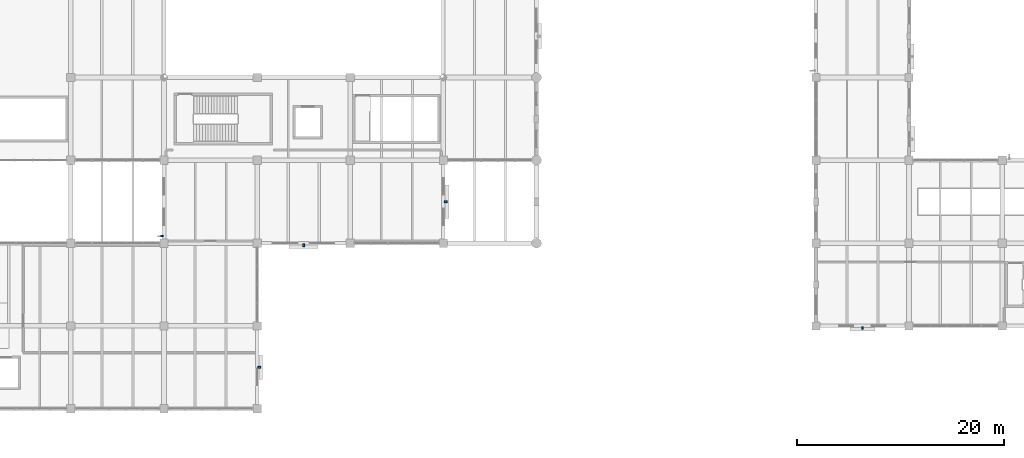
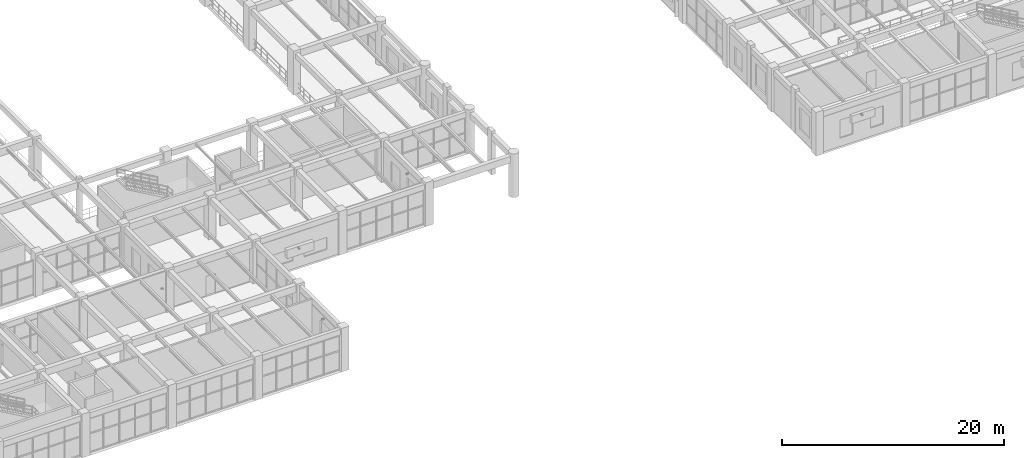
# One storey, part 163 of 178: 5 discrete accessories.
"""IFC4 building model written with IfcOpenShell, lengths in metres."""

from ifc_helpers import new_model, si_unit, derived_unit, direction, frame, origin, origin_2d, place, context, subcontext, project, spatial, rectangle, extrude, material, type_object, element, save


model = new_model("IFC4")

# Units and contexts
model_context = context("Model", 3, precision=1e-05, world=origin(), true_north=direction((0.0, 1.0)))
body_context = subcontext(model_context, "Body", "Model", "MODEL_VIEW")
ifc_project = project(units=[si_unit("LENGTHUNIT", "METRE"), si_unit("AREAUNIT", "SQUARE_METRE"), si_unit("VOLUMEUNIT", "CUBIC_METRE"), si_unit("PLANEANGLEUNIT", "RADIAN"), si_unit("MASSUNIT", "GRAM", prefix="KILO"), derived_unit("THERMALTRANSMITTANCEUNIT", [(si_unit("MASSUNIT", "GRAM", prefix="KILO"), 1), (si_unit("TIMEUNIT", "SECOND"), -3), (si_unit("THERMODYNAMICTEMPERATUREUNIT", "KELVIN"), -1)])], contexts=[model_context])

# Site, building, storey
site_placement = place(None, origin())
site = spatial("IfcSite", under=ifc_project, at=site_placement, CompositionType="ELEMENT")
building_placement = place(site_placement, origin())
building = spatial("IfcBuilding", under=site, at=building_placement, Name="Zhenchuan Archway Interchange", CompositionType="ELEMENT")
storey_placement = place(building_placement, frame((0.0, 0.0, 5.39990234375)))
storey = spatial("IfcBuildingStorey", under=building, at=storey_placement, Name="L01", CompositionType="ELEMENT", Elevation=5.39990234375)

# Discrete accessories
ifc_material = material(Name="Stainless Steel 316", Category="steel")
discrete_accessory_type_1 = type_object("IfcDiscreteAccessoryType", Name="BRK_SHD_1", PredefinedType="BRACKET", material=ifc_material)
discrete_accessory_placement = place(storey_placement, frame((35.7900390625, 16.677978515625, 1.85009765625), z_axis=(0.0, 0.0, 1.0), x_axis=(0.0, 1.0, 0.0)))
element("IfcDiscreteAccessory", 1, at=discrete_accessory_placement, inside=storey, type_object=discrete_accessory_type_1, Name="Solar fin stainless fixing bracket L01-056", PredefinedType="BRACKET", context=body_context, shape_type="SweptSolid", body=[
    extrude(rectangle(XDim=0.159912109375, YDim=0.239990234375, at=origin_2d()), origin(), (0.0, 0.0, 1.0), 0.159912109375),
])
discrete_accessory_type_2 = type_object("IfcDiscreteAccessoryType", Name="BRK_SHD_2", PredefinedType="BRACKET", material=ifc_material)
for number, where, z_axis, x_axis, name in (
    (2, (103.5, 7.800048828125, 2.66015625), (0.0, 0.0, 1.0), (-1.0, 0.0, 0.0), "Storm-louvre stainless fixing bracket L01-049"),
    (3, (63.2099609375, 20.0, 2.8603515625), (0.0, 0.0, 1.0), (0.0, -1.0, 0.0), "Storm-louvre stainless fixing bracket L01-053"),
    (4, (49.5, 15.7900390625, 2.01025390625), (0.0, 0.0, 1.0), (-1.0, 0.0, 0.0), "Storm-louvre stainless fixing bracket L01-054"),
    (5, (45.2099609375, 4.0, 2.8603515625), (0.0, 0.0, 1.0), (0.0, -1.0, 0.0), "Storm-louvre stainless fixing bracket L01-055"),
):
    element("IfcDiscreteAccessory", number, at=place(storey_placement, frame(where, z_axis=z_axis, x_axis=x_axis)), inside=storey, type_object=discrete_accessory_type_2, Name=name, PredefinedType="BRACKET", context=body_context, shape_type="SweptSolid", body=[
        extrude(rectangle(XDim=0.179931640625, YDim=0.280029296875, at=origin_2d()), origin(), (0.0, 0.0, 1.0), 0.179931640625),
    ])

save(model, "model.ifc")
